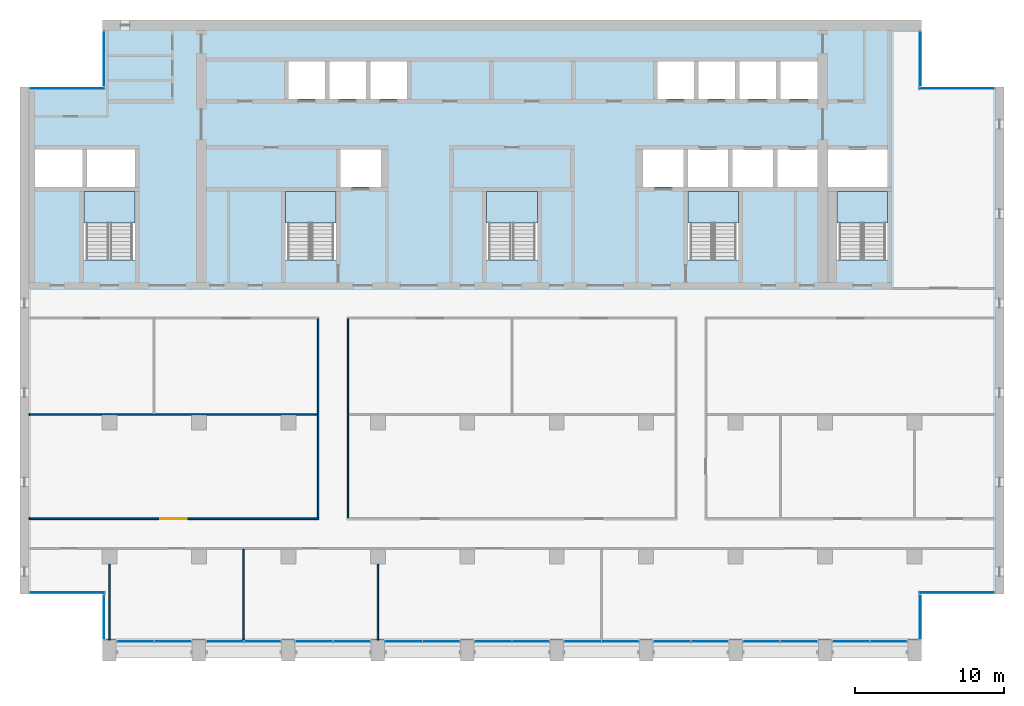
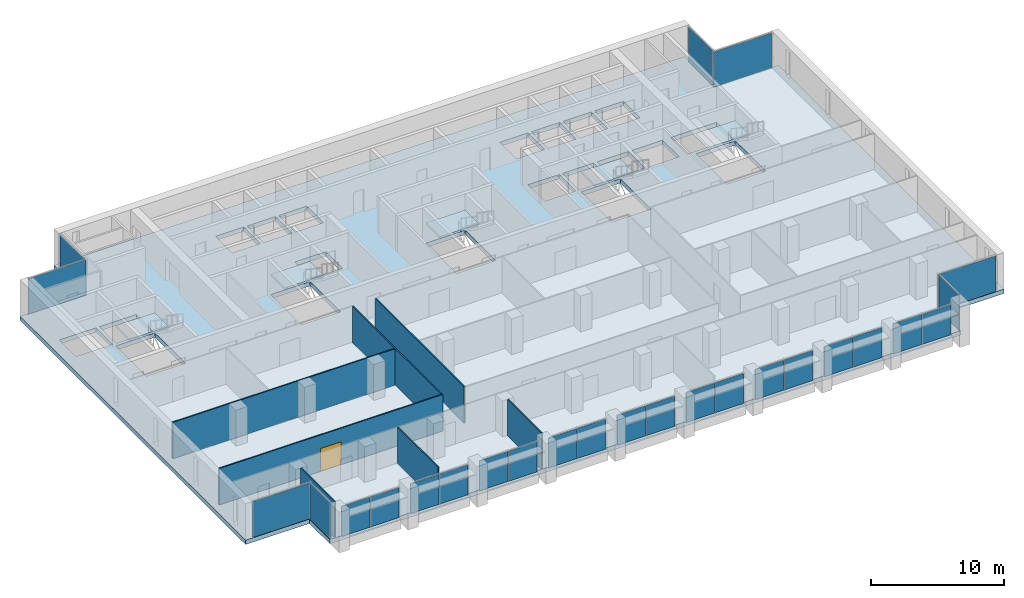
# One storey, part 7 of 17: 26 plates, 7 walls, 6 slabs, 1 door, 1 opening, 22 elements without a shape of their own.
"""IFC4 building model written with IfcOpenShell, lengths in metres."""

from ifc_helpers import new_model, si_unit, direction, frame, frame_2d, origin, origin_2d, place, context, subcontext, project, spatial, polyline, rectangle, outline, extrude, material, layer, layer_set, type_object, element, fill, aggregate, save


model = new_model("IFC4")

# Units and contexts
model_context = context("Model", 3, precision=1e-05, world=origin(), true_north=direction((0.0, 1.0)))
body_context = subcontext(model_context, "Body", "Model", "MODEL_VIEW")
ifc_project = project(units=[si_unit("LENGTHUNIT", "METRE"), si_unit("AREAUNIT", "SQUARE_METRE"), si_unit("VOLUMEUNIT", "CUBIC_METRE"), si_unit("PLANEANGLEUNIT", "RADIAN"), si_unit("MASSUNIT", "GRAM", prefix="KILO")], contexts=[model_context])

# Site, building, storey
site_placement = place(None, origin())
site = spatial("IfcSite", under=ifc_project, at=site_placement, CompositionType="ELEMENT")
building_placement = place(site_placement, origin())
building = spatial("IfcBuilding", under=site, at=building_placement, Name="Calvaro Tower", CompositionType="ELEMENT")
storey_placement = place(building_placement, frame((0.0, 0.0, 219.25)))
storey = spatial("IfcBuildingStorey", under=building, at=storey_placement, Name="L55", CompositionType="ELEMENT", Elevation=219.25)

# Slab
ifc_material_1 = material(Name="Concrete C40/50", Category="concrete")
ifc_layer_1 = layer(ifc_material_1, 0.39990234375)
ifc_layer_set_1 = layer_set([ifc_layer_1], Name="Concrete C40/50")
slab_type_1 = type_object("IfcSlabType", Name="Floor slab 400 C40/50", PredefinedType="FLOOR", material=ifc_layer_set_1)
slab_1_placement = place(storey_placement, frame((0.0, 0.0, -0.39990234375)))
element("IfcSlab", 1, at=slab_1_placement, inside=storey, type_object=slab_type_1, Name="Floor slab", PredefinedType="FLOOR", context=body_context, shape_type="SweptSolid", body=[
    extrude(outline(polyline([(66.449951171875, 7.5), (66.449951171875, 4.39990234375), (11.550048828125, 4.39990234375), (11.550048828125, 7.5), (6.0, 7.5), (6.0, 41.5), (11.550048828125, 41.5), (11.550048828125, 46.0), (66.449951171875, 46.0), (66.449951171875, 41.5), (72.0, 41.5), (72.0, 7.5), (66.449951171875, 7.5)]), holes=[polyline([(10.300048828125, 29.909912109375), (10.300048828125, 34.5), (12.0, 34.5), (13.699951171875, 34.5), (13.699951171875, 29.909912109375), (12.0, 29.909912109375), (10.300048828125, 29.909912109375)]), polyline([(23.800048828125, 29.909912109375), (23.800048828125, 34.5), (25.5, 34.5), (27.199951171875, 34.5), (27.199951171875, 29.909912109375), (25.5, 29.909912109375), (23.800048828125, 29.909912109375)]), polyline([(37.300048828125, 29.909912109375), (37.300048828125, 34.5), (39.0, 34.5), (40.699951171875, 34.5), (40.699951171875, 29.909912109375), (39.0, 29.909912109375), (37.300048828125, 29.909912109375)]), polyline([(50.800048828125, 29.909912109375), (50.800048828125, 34.5), (52.5, 34.5), (54.199951171875, 34.5), (54.199951171875, 29.909912109375), (52.5, 29.909912109375), (50.800048828125, 29.909912109375)]), polyline([(60.800048828125, 29.909912109375), (60.800048828125, 34.5), (62.5, 34.5), (64.199951171875, 34.5), (64.199951171875, 29.909912109375), (62.5, 29.909912109375), (60.800048828125, 29.909912109375)]), polyline([(50.800048828125, 34.800048828125), (53.5, 34.800048828125), (53.5, 37.300048828125), (50.800048828125, 37.300048828125), (50.800048828125, 34.800048828125)]), polyline([(53.800048828125, 34.800048828125), (56.5, 34.800048828125), (56.5, 37.300048828125), (53.800048828125, 37.300048828125), (53.800048828125, 34.800048828125)]), polyline([(56.800048828125, 34.800048828125), (59.5, 34.800048828125), (59.5, 37.300048828125), (56.800048828125, 37.300048828125), (56.800048828125, 34.800048828125)]), polyline([(24.0, 40.699951171875), (26.449951171875, 40.699951171875), (26.449951171875, 43.199951171875), (24.0, 43.199951171875), (24.0, 40.699951171875)]), polyline([(26.75, 40.699951171875), (29.199951171875, 40.699951171875), (29.199951171875, 43.199951171875), (26.75, 43.199951171875), (26.75, 40.699951171875)]), polyline([(29.5, 40.699951171875), (31.949951171875, 40.699951171875), (31.949951171875, 43.199951171875), (29.5, 43.199951171875), (29.5, 40.699951171875)]), polyline([(48.75, 40.699951171875), (51.199951171875, 40.699951171875), (51.199951171875, 43.199951171875), (48.75, 43.199951171875), (48.75, 40.699951171875)]), polyline([(51.5, 40.699951171875), (53.949951171875, 40.699951171875), (53.949951171875, 43.199951171875), (51.5, 43.199951171875), (51.5, 40.699951171875)]), polyline([(54.25, 40.699951171875), (56.699951171875, 40.699951171875), (56.699951171875, 43.199951171875), (54.25, 43.199951171875), (54.25, 40.699951171875)]), polyline([(57.0, 40.699951171875), (59.5, 40.699951171875), (59.5, 43.199951171875), (57.0, 43.199951171875), (57.0, 40.699951171875)]), polyline([(7.0, 34.800048828125), (10.199951171875, 34.800048828125), (10.199951171875, 37.300048828125), (7.0, 37.300048828125), (7.0, 34.800048828125)]), polyline([(10.5, 34.800048828125), (13.699951171875, 34.800048828125), (13.699951171875, 37.300048828125), (10.5, 37.300048828125), (10.5, 34.800048828125)]), polyline([(60.199951171875, 34.800048828125), (64.199951171875, 34.800048828125), (64.199951171875, 37.300048828125), (60.199951171875, 37.300048828125), (60.199951171875, 34.800048828125)]), polyline([(27.5, 34.800048828125), (30.199951171875, 34.800048828125), (30.199951171875, 37.300048828125), (27.5, 37.300048828125), (27.5, 34.800048828125)]), polyline([(47.800048828125, 34.800048828125), (50.5, 34.800048828125), (50.5, 37.300048828125), (47.800048828125, 37.300048828125), (47.800048828125, 34.800048828125)])]), origin(), (0.0, 0.0, 1.0), 0.39990234375),
])

# Curtain wall, plates
ifc_material_2 = material(Name="Anodised aluminium", Category="aluminium")
curtain_wall_type = type_object("IfcCurtainWallType", Name="Office curtain wall, upper zone", PredefinedType="NOTDEFINED", material=ifc_material_2)
curtain_wall_1_placement = place(storey_placement, origin())
curtain_wall_1 = element("IfcCurtainWall", 2, at=curtain_wall_1_placement, inside=storey, type_object=curtain_wall_type, Name="CW3 south curtain wall", PredefinedType="NOTDEFINED")
ifc_material_3 = material(Name="Glass", Category="glass")
ifc_layer_2 = layer(ifc_material_3, 0.035888671875)
ifc_layer_set_2 = layer_set([ifc_layer_2], Name="Glass")
plate_type = type_object("IfcPlateType", Name="Glass panel S3 36", PredefinedType="CURTAIN_PANEL", material=ifc_layer_set_2)
plate_1_placement = place(storey_placement, frame((13.739990234375, 4.31005859375, 0.0), z_axis=(0.0, 0.0, 1.0), x_axis=(1.0, 0.0, 0.0)))
plate_1 = element("IfcPlate", 3, at=plate_1_placement, type_object=plate_type, Name="CW3 glass panel 1.1", PredefinedType="CURTAIN_PANEL", context=body_context, shape_type="SweptSolid", body=[
    extrude(rectangle(XDim=2.4599609375, YDim=0.035888671875, at=origin_2d()), origin(), (0.0, 0.0, 1.0), 2.75),
])
plate_2_placement = place(storey_placement, frame((16.260009765625, 4.31005859375, 0.0), z_axis=(0.0, 0.0, 1.0), x_axis=(1.0, 0.0, 0.0)))
plate_2 = element("IfcPlate", 4, at=plate_2_placement, type_object=plate_type, Name="CW3 glass panel 2.1", PredefinedType="CURTAIN_PANEL", context=body_context, shape_type="SweptSolid", body=[
    extrude(rectangle(XDim=2.4599609375, YDim=0.035888671875, at=origin_2d()), origin(), (0.0, 0.0, 1.0), 2.75),
])
aggregate(curtain_wall_1, [plate_1, plate_2])

curtain_wall_2_placement = place(storey_placement, origin())
curtain_wall_2 = element("IfcCurtainWall", 5, at=curtain_wall_2_placement, inside=storey, type_object=curtain_wall_type, Name="CW3 south curtain wall", PredefinedType="NOTDEFINED")
plate_3_placement = place(storey_placement, frame((19.739990234375, 4.31005859375, 0.0), z_axis=(0.0, 0.0, 1.0), x_axis=(1.0, 0.0, 0.0)))
plate_3 = element("IfcPlate", 6, at=plate_3_placement, type_object=plate_type, Name="CW3 glass panel 1.1", PredefinedType="CURTAIN_PANEL", context=body_context, shape_type="SweptSolid", body=[
    extrude(rectangle(XDim=2.4599609375, YDim=0.035888671875, at=origin_2d()), origin(), (0.0, 0.0, 1.0), 2.75),
])
plate_4_placement = place(storey_placement, frame((22.260009765625, 4.31005859375, 0.0), z_axis=(0.0, 0.0, 1.0), x_axis=(1.0, 0.0, 0.0)))
plate_4 = element("IfcPlate", 7, at=plate_4_placement, type_object=plate_type, Name="CW3 glass panel 2.1", PredefinedType="CURTAIN_PANEL", context=body_context, shape_type="SweptSolid", body=[
    extrude(rectangle(XDim=2.4599609375, YDim=0.035888671875, at=origin_2d()), origin(), (0.0, 0.0, 1.0), 2.75),
])
aggregate(curtain_wall_2, [plate_3, plate_4])

curtain_wall_3_placement = place(storey_placement, origin())
curtain_wall_3 = element("IfcCurtainWall", 8, at=curtain_wall_3_placement, inside=storey, type_object=curtain_wall_type, Name="CW3 south curtain wall", PredefinedType="NOTDEFINED")
plate_5_placement = place(storey_placement, frame((25.739990234375, 4.31005859375, 0.0), z_axis=(0.0, 0.0, 1.0), x_axis=(1.0, 0.0, 0.0)))
plate_5 = element("IfcPlate", 9, at=plate_5_placement, type_object=plate_type, Name="CW3 glass panel 1.1", PredefinedType="CURTAIN_PANEL", context=body_context, shape_type="SweptSolid", body=[
    extrude(rectangle(XDim=2.4599609375, YDim=0.035888671875, at=origin_2d()), origin(), (0.0, 0.0, 1.0), 2.75),
])
plate_6_placement = place(storey_placement, frame((28.260009765625, 4.31005859375, 0.0), z_axis=(0.0, 0.0, 1.0), x_axis=(1.0, 0.0, 0.0)))
plate_6 = element("IfcPlate", 10, at=plate_6_placement, type_object=plate_type, Name="CW3 glass panel 2.1", PredefinedType="CURTAIN_PANEL", context=body_context, shape_type="SweptSolid", body=[
    extrude(rectangle(XDim=2.4599609375, YDim=0.035888671875, at=origin_2d()), origin(), (0.0, 0.0, 1.0), 2.75),
])
aggregate(curtain_wall_3, [plate_5, plate_6])

curtain_wall_4_placement = place(storey_placement, origin())
curtain_wall_4 = element("IfcCurtainWall", 11, at=curtain_wall_4_placement, inside=storey, type_object=curtain_wall_type, Name="CW3 south curtain wall", PredefinedType="NOTDEFINED")
plate_7_placement = place(storey_placement, frame((31.739990234375, 4.31005859375, 0.0), z_axis=(0.0, 0.0, 1.0), x_axis=(1.0, 0.0, 0.0)))
plate_7 = element("IfcPlate", 12, at=plate_7_placement, type_object=plate_type, Name="CW3 glass panel 1.1", PredefinedType="CURTAIN_PANEL", context=body_context, shape_type="SweptSolid", body=[
    extrude(rectangle(XDim=2.4599609375, YDim=0.035888671875, at=origin_2d()), origin(), (0.0, 0.0, 1.0), 2.75),
])
plate_8_placement = place(storey_placement, frame((34.260009765625, 4.31005859375, 0.0), z_axis=(0.0, 0.0, 1.0), x_axis=(1.0, 0.0, 0.0)))
plate_8 = element("IfcPlate", 13, at=plate_8_placement, type_object=plate_type, Name="CW3 glass panel 2.1", PredefinedType="CURTAIN_PANEL", context=body_context, shape_type="SweptSolid", body=[
    extrude(rectangle(XDim=2.4599609375, YDim=0.035888671875, at=origin_2d()), origin(), (0.0, 0.0, 1.0), 2.75),
])
aggregate(curtain_wall_4, [plate_7, plate_8])

curtain_wall_5_placement = place(storey_placement, origin())
curtain_wall_5 = element("IfcCurtainWall", 14, at=curtain_wall_5_placement, inside=storey, type_object=curtain_wall_type, Name="CW3 south curtain wall", PredefinedType="NOTDEFINED")
plate_9_placement = place(storey_placement, frame((37.739990234375, 4.31005859375, 0.0), z_axis=(0.0, 0.0, 1.0), x_axis=(1.0, 0.0, 0.0)))
plate_9 = element("IfcPlate", 15, at=plate_9_placement, type_object=plate_type, Name="CW3 glass panel 1.1", PredefinedType="CURTAIN_PANEL", context=body_context, shape_type="SweptSolid", body=[
    extrude(rectangle(XDim=2.4599609375, YDim=0.035888671875, at=origin_2d()), origin(), (0.0, 0.0, 1.0), 2.75),
])
plate_10_placement = place(storey_placement, frame((40.260009765625, 4.31005859375, 0.0), z_axis=(0.0, 0.0, 1.0), x_axis=(1.0, 0.0, 0.0)))
plate_10 = element("IfcPlate", 16, at=plate_10_placement, type_object=plate_type, Name="CW3 glass panel 2.1", PredefinedType="CURTAIN_PANEL", context=body_context, shape_type="SweptSolid", body=[
    extrude(rectangle(XDim=2.4599609375, YDim=0.035888671875, at=origin_2d()), origin(), (0.0, 0.0, 1.0), 2.75),
])
aggregate(curtain_wall_5, [plate_9, plate_10])

curtain_wall_6_placement = place(storey_placement, origin())
curtain_wall_6 = element("IfcCurtainWall", 17, at=curtain_wall_6_placement, inside=storey, type_object=curtain_wall_type, Name="CW3 south curtain wall", PredefinedType="NOTDEFINED")
plate_11_placement = place(storey_placement, frame((43.739990234375, 4.31005859375, 0.0), z_axis=(0.0, 0.0, 1.0), x_axis=(1.0, 0.0, 0.0)))
plate_11 = element("IfcPlate", 18, at=plate_11_placement, type_object=plate_type, Name="CW3 glass panel 1.1", PredefinedType="CURTAIN_PANEL", context=body_context, shape_type="SweptSolid", body=[
    extrude(rectangle(XDim=2.4599609375, YDim=0.035888671875, at=origin_2d()), origin(), (0.0, 0.0, 1.0), 2.75),
])
plate_12_placement = place(storey_placement, frame((46.260009765625, 4.31005859375, 0.0), z_axis=(0.0, 0.0, 1.0), x_axis=(1.0, 0.0, 0.0)))
plate_12 = element("IfcPlate", 19, at=plate_12_placement, type_object=plate_type, Name="CW3 glass panel 2.1", PredefinedType="CURTAIN_PANEL", context=body_context, shape_type="SweptSolid", body=[
    extrude(rectangle(XDim=2.4599609375, YDim=0.035888671875, at=origin_2d()), origin(), (0.0, 0.0, 1.0), 2.75),
])
aggregate(curtain_wall_6, [plate_11, plate_12])

curtain_wall_7_placement = place(storey_placement, origin())
curtain_wall_7 = element("IfcCurtainWall", 20, at=curtain_wall_7_placement, inside=storey, type_object=curtain_wall_type, Name="CW3 south curtain wall", PredefinedType="NOTDEFINED")
plate_13_placement = place(storey_placement, frame((49.739990234375, 4.31005859375, 0.0), z_axis=(0.0, 0.0, 1.0), x_axis=(1.0, 0.0, 0.0)))
plate_13 = element("IfcPlate", 21, at=plate_13_placement, type_object=plate_type, Name="CW3 glass panel 1.1", PredefinedType="CURTAIN_PANEL", context=body_context, shape_type="SweptSolid", body=[
    extrude(rectangle(XDim=2.4599609375, YDim=0.035888671875, at=origin_2d()), origin(), (0.0, 0.0, 1.0), 2.75),
])
plate_14_placement = place(storey_placement, frame((52.260009765625, 4.31005859375, 0.0), z_axis=(0.0, 0.0, 1.0), x_axis=(1.0, 0.0, 0.0)))
plate_14 = element("IfcPlate", 22, at=plate_14_placement, type_object=plate_type, Name="CW3 glass panel 2.1", PredefinedType="CURTAIN_PANEL", context=body_context, shape_type="SweptSolid", body=[
    extrude(rectangle(XDim=2.4599609375, YDim=0.035888671875, at=origin_2d()), origin(), (0.0, 0.0, 1.0), 2.75),
])
aggregate(curtain_wall_7, [plate_13, plate_14])

curtain_wall_8_placement = place(storey_placement, origin())
curtain_wall_8 = element("IfcCurtainWall", 23, at=curtain_wall_8_placement, inside=storey, type_object=curtain_wall_type, Name="CW3 south curtain wall", PredefinedType="NOTDEFINED")
plate_15_placement = place(storey_placement, frame((55.739990234375, 4.31005859375, 0.0), z_axis=(0.0, 0.0, 1.0), x_axis=(1.0, 0.0, 0.0)))
plate_15 = element("IfcPlate", 24, at=plate_15_placement, type_object=plate_type, Name="CW3 glass panel 1.1", PredefinedType="CURTAIN_PANEL", context=body_context, shape_type="SweptSolid", body=[
    extrude(rectangle(XDim=2.4599609375, YDim=0.035888671875, at=origin_2d()), origin(), (0.0, 0.0, 1.0), 2.75),
])
plate_16_placement = place(storey_placement, frame((58.260009765625, 4.31005859375, 0.0), z_axis=(0.0, 0.0, 1.0), x_axis=(1.0, 0.0, 0.0)))
plate_16 = element("IfcPlate", 25, at=plate_16_placement, type_object=plate_type, Name="CW3 glass panel 2.1", PredefinedType="CURTAIN_PANEL", context=body_context, shape_type="SweptSolid", body=[
    extrude(rectangle(XDim=2.4599609375, YDim=0.035888671875, at=origin_2d()), origin(), (0.0, 0.0, 1.0), 2.75),
])
aggregate(curtain_wall_8, [plate_15, plate_16])

curtain_wall_9_placement = place(storey_placement, origin())
curtain_wall_9 = element("IfcCurtainWall", 26, at=curtain_wall_9_placement, inside=storey, type_object=curtain_wall_type, Name="CW3 south curtain wall", PredefinedType="NOTDEFINED")
plate_17_placement = place(storey_placement, frame((61.739990234375, 4.31005859375, 0.0), z_axis=(0.0, 0.0, 1.0), x_axis=(1.0, 0.0, 0.0)))
plate_17 = element("IfcPlate", 27, at=plate_17_placement, type_object=plate_type, Name="CW3 glass panel 1.1", PredefinedType="CURTAIN_PANEL", context=body_context, shape_type="SweptSolid", body=[
    extrude(rectangle(XDim=2.4599609375, YDim=0.035888671875, at=origin_2d()), origin(), (0.0, 0.0, 1.0), 2.75),
])
plate_18_placement = place(storey_placement, frame((64.260009765625, 4.31005859375, 0.0), z_axis=(0.0, 0.0, 1.0), x_axis=(1.0, 0.0, 0.0)))
plate_18 = element("IfcPlate", 28, at=plate_18_placement, type_object=plate_type, Name="CW3 glass panel 2.1", PredefinedType="CURTAIN_PANEL", context=body_context, shape_type="SweptSolid", body=[
    extrude(rectangle(XDim=2.4599609375, YDim=0.035888671875, at=origin_2d()), origin(), (0.0, 0.0, 1.0), 2.75),
])
aggregate(curtain_wall_9, [plate_17, plate_18])

# Curtain wall, plate
curtain_wall_10_placement = place(storey_placement, origin())
curtain_wall_10 = element("IfcCurtainWall", 29, at=curtain_wall_10_placement, inside=storey, type_object=curtain_wall_type, Name="CW3 corner curtain wall", PredefinedType="NOTDEFINED")
plate_19_placement = place(storey_placement, frame((11.639892578125, 5.949951171875, 0.0), z_axis=(0.0, 0.0, 1.0), x_axis=(0.0, 1.0, 0.0)))
plate_19 = element("IfcPlate", 30, at=plate_19_placement, type_object=plate_type, Name="CW3 glass panel 1.1", PredefinedType="CURTAIN_PANEL", context=body_context, shape_type="SweptSolid", body=[
    extrude(rectangle(XDim=2.97998046875, YDim=0.035888671875, at=origin_2d()), origin(), (0.0, 0.0, 1.0), 3.25),
])
aggregate(curtain_wall_10, [plate_19])

curtain_wall_11_placement = place(storey_placement, origin())
curtain_wall_11 = element("IfcCurtainWall", 31, at=curtain_wall_11_placement, inside=storey, type_object=curtain_wall_type, Name="CW3 corner curtain wall", PredefinedType="NOTDEFINED")
plate_20_placement = place(storey_placement, frame((9.1650390625, 7.590087890625, 0.0), z_axis=(0.0, 0.0, 1.0), x_axis=(1.0, 0.0, 0.0)))
plate_20 = element("IfcPlate", 32, at=plate_20_placement, type_object=plate_type, Name="CW3 glass panel 1.1", PredefinedType="CURTAIN_PANEL", context=body_context, shape_type="SweptSolid", body=[
    extrude(rectangle(XDim=5.010009765625, YDim=0.035888671875, at=origin_2d()), origin(), (0.0, 0.0, 1.0), 3.25),
])
aggregate(curtain_wall_11, [plate_20])

curtain_wall_12_placement = place(storey_placement, origin())
curtain_wall_12 = element("IfcCurtainWall", 33, at=curtain_wall_12_placement, inside=storey, type_object=curtain_wall_type, Name="CW3 corner curtain wall", PredefinedType="NOTDEFINED")
plate_21_placement = place(storey_placement, frame((11.639892578125, 43.39990234375, 0.0), z_axis=(0.0, 0.0, 1.0), x_axis=(0.0, 1.0, 0.0)))
plate_21 = element("IfcPlate", 34, at=plate_21_placement, type_object=plate_type, Name="CW3 glass panel 1.1", PredefinedType="CURTAIN_PANEL", context=body_context, shape_type="SweptSolid", body=[
    extrude(rectangle(XDim=3.679931640625, YDim=0.035888671875, at=origin_2d()), origin(), (0.0, 0.0, 1.0), 3.25),
])
aggregate(curtain_wall_12, [plate_21])

curtain_wall_13_placement = place(storey_placement, origin())
curtain_wall_13 = element("IfcCurtainWall", 35, at=curtain_wall_13_placement, inside=storey, type_object=curtain_wall_type, Name="CW3 corner curtain wall", PredefinedType="NOTDEFINED")
plate_22_placement = place(storey_placement, frame((9.1650390625, 41.409912109375, 0.0), z_axis=(0.0, 0.0, 1.0), x_axis=(1.0, 0.0, 0.0)))
plate_22 = element("IfcPlate", 36, at=plate_22_placement, type_object=plate_type, Name="CW3 glass panel 1.1", PredefinedType="CURTAIN_PANEL", context=body_context, shape_type="SweptSolid", body=[
    extrude(rectangle(XDim=5.010009765625, YDim=0.035888671875, at=origin_2d()), origin(), (0.0, 0.0, 1.0), 3.25),
])
aggregate(curtain_wall_13, [plate_22])

curtain_wall_14_placement = place(storey_placement, origin())
curtain_wall_14 = element("IfcCurtainWall", 37, at=curtain_wall_14_placement, inside=storey, type_object=curtain_wall_type, Name="CW3 corner curtain wall", PredefinedType="NOTDEFINED")
plate_23_placement = place(storey_placement, frame((66.360107421875, 5.949951171875, 0.0), z_axis=(0.0, 0.0, 1.0), x_axis=(0.0, 1.0, 0.0)))
plate_23 = element("IfcPlate", 38, at=plate_23_placement, type_object=plate_type, Name="CW3 glass panel 1.1", PredefinedType="CURTAIN_PANEL", context=body_context, shape_type="SweptSolid", body=[
    extrude(rectangle(XDim=2.97998046875, YDim=0.035888671875, at=origin_2d()), origin(), (0.0, 0.0, 1.0), 3.25),
])
aggregate(curtain_wall_14, [plate_23])

curtain_wall_15_placement = place(storey_placement, origin())
curtain_wall_15 = element("IfcCurtainWall", 39, at=curtain_wall_15_placement, inside=storey, type_object=curtain_wall_type, Name="CW3 corner curtain wall", PredefinedType="NOTDEFINED")
plate_24_placement = place(storey_placement, frame((68.8349609375, 7.590087890625, 0.0), z_axis=(0.0, 0.0, 1.0), x_axis=(1.0, 0.0, 0.0)))
plate_24 = element("IfcPlate", 40, at=plate_24_placement, type_object=plate_type, Name="CW3 glass panel 1.1", PredefinedType="CURTAIN_PANEL", context=body_context, shape_type="SweptSolid", body=[
    extrude(rectangle(XDim=5.010009765625, YDim=0.035888671875, at=origin_2d()), origin(), (0.0, 0.0, 1.0), 3.25),
])
aggregate(curtain_wall_15, [plate_24])

curtain_wall_16_placement = place(storey_placement, origin())
curtain_wall_16 = element("IfcCurtainWall", 41, at=curtain_wall_16_placement, inside=storey, type_object=curtain_wall_type, Name="CW3 corner curtain wall", PredefinedType="NOTDEFINED")
plate_25_placement = place(storey_placement, frame((66.360107421875, 43.39990234375, 0.0), z_axis=(0.0, 0.0, 1.0), x_axis=(0.0, 1.0, 0.0)))
plate_25 = element("IfcPlate", 42, at=plate_25_placement, type_object=plate_type, Name="CW3 glass panel 1.1", PredefinedType="CURTAIN_PANEL", context=body_context, shape_type="SweptSolid", body=[
    extrude(rectangle(XDim=3.679931640625, YDim=0.035888671875, at=origin_2d()), origin(), (0.0, 0.0, 1.0), 3.25),
])
aggregate(curtain_wall_16, [plate_25])

curtain_wall_17_placement = place(storey_placement, origin())
curtain_wall_17 = element("IfcCurtainWall", 43, at=curtain_wall_17_placement, inside=storey, type_object=curtain_wall_type, Name="CW3 corner curtain wall", PredefinedType="NOTDEFINED")
plate_26_placement = place(storey_placement, frame((68.8349609375, 41.409912109375, 0.0), z_axis=(0.0, 0.0, 1.0), x_axis=(1.0, 0.0, 0.0)))
plate_26 = element("IfcPlate", 44, at=plate_26_placement, type_object=plate_type, Name="CW3 glass panel 1.1", PredefinedType="CURTAIN_PANEL", context=body_context, shape_type="SweptSolid", body=[
    extrude(rectangle(XDim=5.010009765625, YDim=0.035888671875, at=origin_2d()), origin(), (0.0, 0.0, 1.0), 3.25),
])
aggregate(curtain_wall_17, [plate_26])

# Stair, slab
ifc_material_4 = material(Name="Concrete C40/50", Category="concrete")
stair_type = type_object("IfcStairType", Name="Exit stair 1400 2 flights", PredefinedType="HALF_TURN_STAIR", material=ifc_material_4)
stair_1_placement = place(storey_placement, origin())
stair_1 = element("IfcStair", 45, at=stair_1_placement, inside=storey, type_object=stair_type, Name="Exit stair S1", PredefinedType="HALF_TURN_STAIR")
ifc_material_5 = material(Name="Concrete C40/50", Category="concrete")
ifc_layer_3 = layer(ifc_material_5, 0.199951171875)
ifc_layer_set_3 = layer_set([ifc_layer_3], Name="Concrete C40/50")
slab_type_2 = type_object("IfcSlabType", Name="Stair landing", PredefinedType="LANDING", material=ifc_layer_set_3)
slab_2_placement = place(storey_placement, frame((0.0, 0.0, 1.675048828125)))
slab_2 = element("IfcSlab", 46, at=slab_2_placement, type_object=slab_type_2, Name="Exit stair 1, landing 1", PredefinedType="LANDING", context=body_context, shape_type="SweptSolid", body=[
    extrude(outline(polyline([(11.89990234375, 32.389892578125), (10.5, 32.389892578125), (10.5, 32.39990234375), (10.300048828125, 32.39990234375), (10.300048828125, 34.5), (10.5, 34.5), (11.89990234375, 34.5), (12.10009765625, 34.5), (13.5, 34.5), (13.699951171875, 34.5), (13.699951171875, 32.39990234375), (13.5, 32.39990234375), (13.5, 32.389892578125), (12.10009765625, 32.389892578125), (12.10009765625, 32.39990234375), (11.89990234375, 32.39990234375), (11.89990234375, 32.389892578125)])), origin(), (0.0, 0.0, 1.0), 0.199951171875),
])
aggregate(stair_1, [slab_2])

stair_2_placement = place(storey_placement, origin())
stair_2 = element("IfcStair", 47, at=stair_2_placement, inside=storey, type_object=stair_type, Name="Exit stair S2", PredefinedType="HALF_TURN_STAIR")
slab_3_placement = place(storey_placement, frame((0.0, 0.0, 1.675048828125)))
slab_3 = element("IfcSlab", 48, at=slab_3_placement, type_object=slab_type_2, Name="Exit stair 2, landing 1", PredefinedType="LANDING", context=body_context, shape_type="SweptSolid", body=[
    extrude(outline(polyline([(25.39990234375, 32.389892578125), (24.0, 32.389892578125), (24.0, 32.39990234375), (23.800048828125, 32.39990234375), (23.800048828125, 34.5), (24.0, 34.5), (25.39990234375, 34.5), (25.60009765625, 34.5), (27.0, 34.5), (27.199951171875, 34.5), (27.199951171875, 32.39990234375), (27.0, 32.39990234375), (27.0, 32.389892578125), (25.60009765625, 32.389892578125), (25.60009765625, 32.39990234375), (25.39990234375, 32.39990234375), (25.39990234375, 32.389892578125)])), origin(), (0.0, 0.0, 1.0), 0.199951171875),
])
aggregate(stair_2, [slab_3])

stair_3_placement = place(storey_placement, origin())
stair_3 = element("IfcStair", 49, at=stair_3_placement, inside=storey, type_object=stair_type, Name="Exit stair S3", PredefinedType="HALF_TURN_STAIR")
slab_4_placement = place(storey_placement, frame((0.0, 0.0, 1.675048828125)))
slab_4 = element("IfcSlab", 50, at=slab_4_placement, type_object=slab_type_2, Name="Exit stair 3, landing 1", PredefinedType="LANDING", context=body_context, shape_type="SweptSolid", body=[
    extrude(outline(polyline([(38.89990234375, 32.389892578125), (37.5, 32.389892578125), (37.5, 32.39990234375), (37.300048828125, 32.39990234375), (37.300048828125, 34.5), (37.5, 34.5), (38.89990234375, 34.5), (39.10009765625, 34.5), (40.5, 34.5), (40.699951171875, 34.5), (40.699951171875, 32.39990234375), (40.5, 32.39990234375), (40.5, 32.389892578125), (39.10009765625, 32.389892578125), (39.10009765625, 32.39990234375), (38.89990234375, 32.39990234375), (38.89990234375, 32.389892578125)])), origin(), (0.0, 0.0, 1.0), 0.199951171875),
])
aggregate(stair_3, [slab_4])

stair_4_placement = place(storey_placement, origin())
stair_4 = element("IfcStair", 51, at=stair_4_placement, inside=storey, type_object=stair_type, Name="Exit stair S4", PredefinedType="HALF_TURN_STAIR")
slab_5_placement = place(storey_placement, frame((0.0, 0.0, 1.675048828125)))
slab_5 = element("IfcSlab", 52, at=slab_5_placement, type_object=slab_type_2, Name="Exit stair 4, landing 1", PredefinedType="LANDING", context=body_context, shape_type="SweptSolid", body=[
    extrude(outline(polyline([(52.39990234375, 32.389892578125), (51.0, 32.389892578125), (51.0, 32.39990234375), (50.800048828125, 32.39990234375), (50.800048828125, 34.5), (51.0, 34.5), (52.39990234375, 34.5), (52.60009765625, 34.5), (54.0, 34.5), (54.199951171875, 34.5), (54.199951171875, 32.39990234375), (54.0, 32.39990234375), (54.0, 32.389892578125), (52.60009765625, 32.389892578125), (52.60009765625, 32.39990234375), (52.39990234375, 32.39990234375), (52.39990234375, 32.389892578125)])), origin(), (0.0, 0.0, 1.0), 0.199951171875),
])
aggregate(stair_4, [slab_5])

stair_5_placement = place(storey_placement, origin())
stair_5 = element("IfcStair", 53, at=stair_5_placement, inside=storey, type_object=stair_type, Name="Exit stair S5", PredefinedType="HALF_TURN_STAIR")
slab_6_placement = place(storey_placement, frame((0.0, 0.0, 1.675048828125)))
slab_6 = element("IfcSlab", 54, at=slab_6_placement, type_object=slab_type_2, Name="Exit stair 5, landing 1", PredefinedType="LANDING", context=body_context, shape_type="SweptSolid", body=[
    extrude(outline(polyline([(62.39990234375, 32.389892578125), (61.0, 32.389892578125), (61.0, 32.39990234375), (60.800048828125, 32.39990234375), (60.800048828125, 34.5), (61.0, 34.5), (62.39990234375, 34.5), (62.60009765625, 34.5), (64.0, 34.5), (64.199951171875, 34.5), (64.199951171875, 32.39990234375), (64.0, 32.39990234375), (64.0, 32.389892578125), (62.60009765625, 32.389892578125), (62.60009765625, 32.39990234375), (62.39990234375, 32.39990234375), (62.39990234375, 32.389892578125)])), origin(), (0.0, 0.0, 1.0), 0.199951171875),
])
aggregate(stair_5, [slab_6])

# Wall, opening, door
ifc_material_6 = material(Name="Plasterboard on steel studs", Category="steel")
ifc_layer_4 = layer(ifc_material_6, 0.10009765625)
ifc_layer_set_4 = layer_set([ifc_layer_4], Name="Plasterboard on steel studs")
wall_type = type_object("IfcWallType", Name="Partition 100", PredefinedType="PARTITIONING", material=ifc_layer_set_4)
wall_1_placement = place(storey_placement, frame((6.60009765625, 12.550048828125, 0.0), z_axis=(0.0, 0.0, 1.0), x_axis=(1.0, 0.0, 0.0)))
wall_1 = element("IfcWall", 55, at=wall_1_placement, inside=storey, type_object=wall_type, Name="Partition T31.W002", PredefinedType="PARTITIONING", context=body_context, shape_type="SweptSolid", body=[
    extrude(rectangle(XDim=19.449951171875, YDim=0.10009765625, at=frame_2d((9.72509765625, 0.0))), origin(), (0.0, 0.0, 1.0), 3.35009765625),
])
opening_placement = place(wall_1_placement, frame((8.800048828125, 0.0, 0.0)))
opening = element("IfcOpeningElement", 56, at=opening_placement, cuts=wall_1, Name="Opening T31.006", PredefinedType="OPENING", context=body_context, shape_type="SweptSolid", body=[
    extrude(rectangle(XDim=1.800048828125, YDim=2.10009765625, at=frame_2d((0.89990234375, 1.050048828125))), frame((0.0, 0.06005859375, 0.0), z_axis=(0.0, -1.0, 0.0), x_axis=(1.0, 0.0, 0.0)), (0.0, 0.0, 1.0), 0.1201171875),
])
ifc_material_7 = material(Name="Timber", Category="wood")
door_type = type_object("IfcDoorType", Name="Internal double door 1800 x 2100", OperationType="DOUBLE_DOOR_SINGLE_SWING", PredefinedType="DOOR", material=ifc_material_7)
door_placement = place(opening_placement, origin())
door = element("IfcDoor", 57, at=door_placement, inside=storey, type_object=door_type, Name="Door T31.006", OperationType="DOUBLE_DOOR_SINGLE_SWING", OverallHeight=2.10009765625, OverallWidth=1.800048828125, PredefinedType="DOOR", context=body_context, shape_type="SweptSolid", body=[
    extrude(rectangle(XDim=1.800048828125, YDim=2.10009765625, at=frame_2d((0.89990234375, 1.050048828125))), frame((0.0, 0.02490234375, 0.0), z_axis=(0.0, -1.0, 0.0), x_axis=(1.0, 0.0, 0.0)), (0.0, 0.0, 1.0), 0.050048828125),
])
fill(opening, door)

# Walls
wall_2_placement = place(storey_placement, frame((6.60009765625, 19.550048828125, 0.0), z_axis=(0.0, 0.0, 1.0), x_axis=(1.0, 0.0, 0.0)))
element("IfcWall", 58, at=wall_2_placement, inside=storey, type_object=wall_type, Name="Partition T31.W005", PredefinedType="PARTITIONING", context=body_context, shape_type="SweptSolid", body=[
    extrude(rectangle(XDim=19.349853515625, YDim=0.10009765625, at=frame_2d((9.6748046875, 0.0))), origin(), (0.0, 0.0, 1.0), 3.35009765625),
])
wall_3_placement = place(storey_placement, frame((12.0, 4.39990234375, 0.0), z_axis=(0.0, 0.0, 1.0), x_axis=(0.0, 1.0, 0.0)))
element("IfcWall", 59, at=wall_3_placement, inside=storey, type_object=wall_type, Name="Partition T31.W012", PredefinedType="PARTITIONING", context=body_context, shape_type="SweptSolid", body=[
    extrude(rectangle(XDim=5.10009765625, YDim=0.10009765625, at=frame_2d((2.550048828125, 0.0))), origin(), (0.0, 0.0, 1.0), 3.35009765625),
])
wall_4_placement = place(storey_placement, frame((21.0, 4.39990234375, 0.0), z_axis=(0.0, 0.0, 1.0), x_axis=(0.0, 1.0, 0.0)))
element("IfcWall", 60, at=wall_4_placement, inside=storey, type_object=wall_type, Name="Partition T31.W014", PredefinedType="PARTITIONING", context=body_context, shape_type="SweptSolid", body=[
    extrude(rectangle(XDim=6.10009765625, YDim=0.10009765625, at=frame_2d((3.050048828125, 0.0))), origin(), (0.0, 0.0, 1.0), 3.35009765625),
])
for number, where, z_axis, x_axis, name in (
    (61, (26.0, 12.60009765625, 0.0), (0.0, 0.0, 1.0), (0.0, 1.0, 0.0), "Partition T31.W015"),
    (62, (28.0, 12.60009765625, 0.0), (0.0, 0.0, 1.0), (0.0, 1.0, 0.0), "Partition T31.W016"),
):
    element("IfcWall", number, at=place(storey_placement, frame(where, z_axis=z_axis, x_axis=x_axis)), inside=storey, type_object=wall_type, Name=name, PredefinedType="PARTITIONING", context=body_context, shape_type="SweptSolid", body=[
        extrude(rectangle(XDim=13.349853515625, YDim=0.10009765625, at=frame_2d((6.6748046875, 0.0))), origin(), (0.0, 0.0, 1.0), 3.35009765625),
    ])
wall_5_placement = place(storey_placement, frame((30.0, 4.39990234375, 0.0), z_axis=(0.0, 0.0, 1.0), x_axis=(0.0, 1.0, 0.0)))
element("IfcWall", 63, at=wall_5_placement, inside=storey, type_object=wall_type, Name="Partition T31.W017", PredefinedType="PARTITIONING", context=body_context, shape_type="SweptSolid", body=[
    extrude(rectangle(XDim=5.10009765625, YDim=0.10009765625, at=frame_2d((2.550048828125, 0.0))), origin(), (0.0, 0.0, 1.0), 3.35009765625),
])

save(model, "model.ifc")
